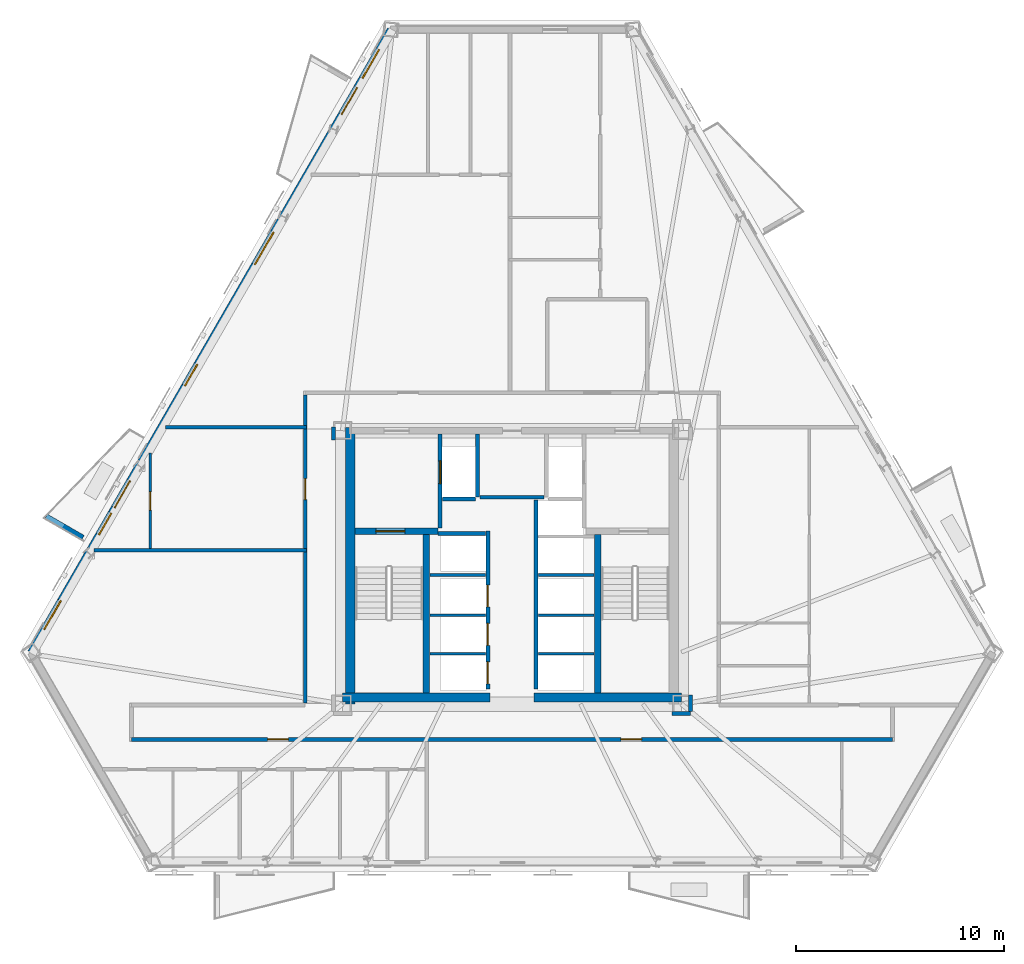
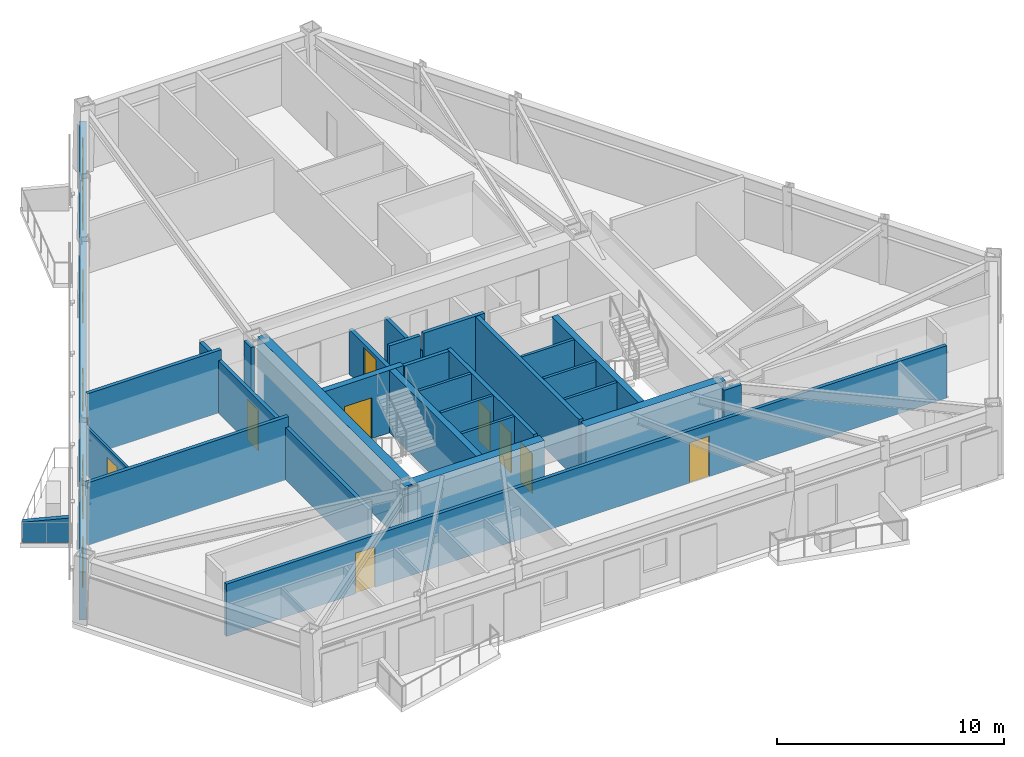
# One storey, part 3 of 9: 29 walls, 11 doors, 5 windows, 16 openings.
"""IFC4 building model written with IfcOpenShell, lengths in metres."""

from ifc_helpers import new_model, si_unit, direction, frame, frame_2d, origin, place, context, subcontext, project, spatial, polyline, rectangle, outline, extrude, material, layer, layer_set, type_object, element, fill, save


model = new_model("IFC4")

# Units and contexts
model_context = context("Model", 3, precision=1e-05, world=origin(), true_north=direction((0.0, 1.0)))
body_context = subcontext(model_context, "Body", "Model", "MODEL_VIEW")
ifc_project = project(units=[si_unit("LENGTHUNIT", "METRE"), si_unit("AREAUNIT", "SQUARE_METRE"), si_unit("VOLUMEUNIT", "CUBIC_METRE"), si_unit("PLANEANGLEUNIT", "RADIAN"), si_unit("MASSUNIT", "GRAM", prefix="KILO")], contexts=[model_context])

# Site, building, storey
site_placement = place(None, origin())
site = spatial("IfcSite", under=ifc_project, at=site_placement, CompositionType="ELEMENT")
building_placement = place(site_placement, origin())
building = spatial("IfcBuilding", under=site, at=building_placement, Name="Oramaril Tower", CompositionType="ELEMENT")
storey_placement = place(building_placement, frame((0.0, 0.0, 104.10009765625)))
storey = spatial("IfcBuildingStorey", under=building, at=storey_placement, Name="L27", CompositionType="ELEMENT", Elevation=104.10009765625)

# Wall, openings, doors, windows
ifc_material_1 = material(Name="Warm Cream Limestone", Category="masonry")
ifc_layer_1 = layer(ifc_material_1, 0.340087890625)
ifc_layer_set_1 = layer_set([ifc_layer_1], Name="WT-EXT34")
wall_type_1 = type_object("IfcWallType", Name="WT-EXT34", PredefinedType="SOLIDWALL", material=ifc_layer_set_1)
wall_1_placement = place(storey_placement, frame((31.6630859375, 43.443603515625, 0.0), z_axis=(0.0, 0.0, 1.0), x_axis=(-0.499998569178, -0.866026229868, 0.0)))
wall_1 = element("IfcWall", 1, at=wall_1_placement, inside=storey, type_object=wall_type_1, Name="L27 Tower Limestone Facade Wall 6M", PredefinedType="SOLIDWALL", context=body_context, shape_type="SweptSolid", body=[
    extrude(rectangle(XDim=34.59521484375, YDim=0.340087890625, at=frame_2d((17.297607421875, 0.0))), origin(), (0.0, 0.0, 1.0), 2.577880859375),
])
opening_1_placement = place(wall_1_placement, frame((3.219482421875, 0.0, 0.0)))
opening_1 = element("IfcOpeningElement", 2, at=opening_1_placement, cuts=wall_1, Name="Opening D-L27-BAL-NW1", PredefinedType="OPENING", context=body_context, shape_type="SweptSolid", body=[
    extrude(rectangle(XDim=1.5, YDim=2.199951171875, at=frame_2d((0.75, 1.10009765625))), frame((0.0, 0.169921875, 0.0), z_axis=(0.0, -1.0, 0.0), x_axis=(1.0, 0.0, 0.0)), (0.0, 0.0, 1.0), 0.340087890625),
])
opening_2_placement = place(wall_1_placement, frame((25.06103515625, 0.0, 0.0)))
opening_2 = element("IfcOpeningElement", 3, at=opening_2_placement, cuts=wall_1, Name="Opening D-L27-BAL-NW2", PredefinedType="OPENING", context=body_context, shape_type="SweptSolid", body=[
    extrude(rectangle(XDim=1.5, YDim=2.199951171875, at=frame_2d((0.75, 1.10009765625))), frame((0.0, 0.169921875, 0.0), z_axis=(0.0, -1.0, 0.0), x_axis=(1.0, 0.0, 0.0)), (0.0, 0.0, 1.0), 0.340087890625),
])
opening_3_placement = place(wall_1_placement, frame((31.727783203125, 0.0, 0.85009765625)))
opening_3 = element("IfcOpeningElement", 4, at=opening_3_placement, cuts=wall_1, Name="Opening WN-07", PredefinedType="OPENING", context=body_context, shape_type="SweptSolid", body=[
    extrude(rectangle(XDim=1.60009765625, YDim=1.617919921875, at=frame_2d((0.800048828125, 0.80908203125))), frame((0.0, 0.169921875, 0.0), z_axis=(0.0, -1.0, 0.0), x_axis=(1.0, 0.0, 0.0)), (0.0, 0.0, 1.0), 0.340087890625),
])
opening_4_placement = place(wall_1_placement, frame((26.8603515625, 0.0, 0.85009765625)))
opening_4 = element("IfcOpeningElement", 5, at=opening_4_placement, cuts=wall_1, Name="Opening WN-09", PredefinedType="OPENING", context=body_context, shape_type="SweptSolid", body=[
    extrude(rectangle(XDim=1.199951171875, YDim=1.47998046875, at=frame_2d((0.60009765625, 0.739990234375))), frame((0.0, 0.169921875, 0.0), z_axis=(0.0, -1.0, 0.0), x_axis=(1.0, 0.0, 0.0)), (0.0, 0.0, 1.0), 0.340087890625),
])
opening_5_placement = place(wall_1_placement, frame((11.255615234375, 0.0, 0.85009765625)))
opening_5 = element("IfcOpeningElement", 6, at=opening_5_placement, cuts=wall_1, Name="Opening WN-06", PredefinedType="OPENING", context=body_context, shape_type="SweptSolid", body=[
    extrude(rectangle(XDim=1.800048828125, YDim=1.617919921875, at=frame_2d((0.89990234375, 0.80908203125))), frame((0.0, 0.169921875, 0.0), z_axis=(0.0, -1.0, 0.0), x_axis=(1.0, 0.0, 0.0)), (0.0, 0.0, 1.0), 0.340087890625),
])
opening_6_placement = place(wall_1_placement, frame((18.59326171875, 0.0, 0.85009765625)))
opening_6 = element("IfcOpeningElement", 7, at=opening_6_placement, cuts=wall_1, Name="Opening WN-09", PredefinedType="OPENING", context=body_context, shape_type="SweptSolid", body=[
    extrude(rectangle(XDim=1.199951171875, YDim=1.47998046875, at=frame_2d((0.60009765625, 0.739990234375))), frame((0.0, 0.169921875, 0.0), z_axis=(0.0, -1.0, 0.0), x_axis=(1.0, 0.0, 0.0)), (0.0, 0.0, 1.0), 0.340087890625),
])
opening_7_placement = place(wall_1_placement, frame((1.105712890625, 0.0, 0.85009765625)))
opening_7 = element("IfcOpeningElement", 8, at=opening_7_placement, cuts=wall_1, Name="Opening WN-07", PredefinedType="OPENING", context=body_context, shape_type="SweptSolid", body=[
    extrude(rectangle(XDim=1.60009765625, YDim=1.617919921875, at=frame_2d((0.800048828125, 0.80908203125))), frame((0.0, 0.169921875, 0.0), z_axis=(0.0, -1.0, 0.0), x_axis=(1.0, 0.0, 0.0)), (0.0, 0.0, 1.0), 0.340087890625),
])
ifc_material_2 = material(Name="Anodised Aluminium 6063-T6", Category="aluminium")
door_type_1 = type_object("IfcDoorType", Name="DT-BAL", OperationType="NOTDEFINED", PredefinedType="DOOR", material=ifc_material_2)
door_1_placement = place(opening_1_placement, origin())
door_1 = element("IfcDoor", 9, at=door_1_placement, inside=storey, type_object=door_type_1, Name="L27 Balcony Glazed Door L27-BAL-NW1", OperationType="SINGLE_SWING_RIGHT", OverallHeight=2.199951171875, OverallWidth=1.5, PredefinedType="DOOR", context=body_context, shape_type="SweptSolid", body=[
    extrude(rectangle(XDim=1.5, YDim=2.199951171875, at=frame_2d((0.75, 1.10009765625))), frame((0.0, 0.02490234375, 0.0), z_axis=(0.0, -1.0, 0.0), x_axis=(1.0, 0.0, 0.0)), (0.0, 0.0, 1.0), 0.050048828125),
])
fill(opening_1, door_1)
door_2_placement = place(opening_2_placement, origin())
door_2 = element("IfcDoor", 10, at=door_2_placement, inside=storey, type_object=door_type_1, Name="L27 Balcony Glazed Door L27-BAL-NW2", OperationType="SINGLE_SWING_LEFT", OverallHeight=2.199951171875, OverallWidth=1.5, PredefinedType="DOOR", context=body_context, shape_type="SweptSolid", body=[
    extrude(rectangle(XDim=1.5, YDim=2.199951171875, at=frame_2d((0.75, 1.10009765625))), frame((0.0, 0.02490234375, 0.0), z_axis=(0.0, -1.0, 0.0), x_axis=(1.0, 0.0, 0.0)), (0.0, 0.0, 1.0), 0.050048828125),
])
fill(opening_2, door_2)
ifc_material_3 = material(Name="Coastal Low-E Insulated Glass", Category="glass")
window_type_1 = type_object("IfcWindowType", Name="WNT-06", PartitioningType="SINGLE_PANEL", PredefinedType="WINDOW", material=ifc_material_3)
window_1_placement = place(opening_5_placement, origin())
window_1 = element("IfcWindow", 11, at=window_1_placement, inside=storey, type_object=window_type_1, Name="L27 Chicago Bay Window WN-06", OverallHeight=1.617919921875, OverallWidth=1.800048828125, PartitioningType="SINGLE_PANEL", PredefinedType="WINDOW", context=body_context, shape_type="SweptSolid", body=[
    extrude(rectangle(XDim=1.800048828125, YDim=1.617919921875, at=frame_2d((0.89990234375, 0.80908203125))), frame((0.0, 0.030029296875, 0.0), z_axis=(0.0, -1.0, 0.0), x_axis=(1.0, 0.0, 0.0)), (0.0, 0.0, 1.0), 0.06005859375),
])
fill(opening_5, window_1)
ifc_material_4 = material(Name="Coastal Low-E Insulated Glass", Category="glass")
window_type_2 = type_object("IfcWindowType", Name="WNT-07", PartitioningType="SINGLE_PANEL", PredefinedType="WINDOW", material=ifc_material_4)
window_2_placement = place(opening_3_placement, origin())
window_2 = element("IfcWindow", 12, at=window_2_placement, inside=storey, type_object=window_type_2, Name="L27 Chicago Bay Window WN-07", OverallHeight=1.617919921875, OverallWidth=1.60009765625, PartitioningType="SINGLE_PANEL", PredefinedType="WINDOW", context=body_context, shape_type="SweptSolid", body=[
    extrude(rectangle(XDim=1.60009765625, YDim=1.617919921875, at=frame_2d((0.800048828125, 0.80908203125))), frame((0.0, 0.030029296875, 0.0), z_axis=(0.0, -1.0, 0.0), x_axis=(1.0, 0.0, 0.0)), (0.0, 0.0, 1.0), 0.06005859375),
])
fill(opening_3, window_2)
window_3_placement = place(opening_7_placement, origin())
window_3 = element("IfcWindow", 13, at=window_3_placement, inside=storey, type_object=window_type_2, Name="L27 Chicago Bay Window WN-07", OverallHeight=1.617919921875, OverallWidth=1.60009765625, PartitioningType="SINGLE_PANEL", PredefinedType="WINDOW", context=body_context, shape_type="SweptSolid", body=[
    extrude(rectangle(XDim=1.60009765625, YDim=1.617919921875, at=frame_2d((0.800048828125, 0.80908203125))), frame((0.0, 0.030029296875, 0.0), z_axis=(0.0, -1.0, 0.0), x_axis=(1.0, 0.0, 0.0)), (0.0, 0.0, 1.0), 0.06005859375),
])
fill(opening_7, window_3)
ifc_material_5 = material(Name="Coastal Low-E Insulated Glass", Category="glass")
window_type_3 = type_object("IfcWindowType", Name="WNT-09", PartitioningType="SINGLE_PANEL", PredefinedType="WINDOW", material=ifc_material_5)
window_4_placement = place(opening_4_placement, origin())
window_4 = element("IfcWindow", 14, at=window_4_placement, inside=storey, type_object=window_type_3, Name="L27 Chicago Bay Window WN-09", OverallHeight=1.47998046875, OverallWidth=1.199951171875, PartitioningType="SINGLE_PANEL", PredefinedType="WINDOW", context=body_context, shape_type="SweptSolid", body=[
    extrude(rectangle(XDim=1.199951171875, YDim=1.47998046875, at=frame_2d((0.60009765625, 0.739990234375))), frame((0.0, 0.030029296875, 0.0), z_axis=(0.0, -1.0, 0.0), x_axis=(1.0, 0.0, 0.0)), (0.0, 0.0, 1.0), 0.06005859375),
])
fill(opening_4, window_4)
window_5_placement = place(opening_6_placement, origin())
window_5 = element("IfcWindow", 15, at=window_5_placement, inside=storey, type_object=window_type_3, Name="L27 Chicago Bay Window WN-09", OverallHeight=1.47998046875, OverallWidth=1.199951171875, PartitioningType="SINGLE_PANEL", PredefinedType="WINDOW", context=body_context, shape_type="SweptSolid", body=[
    extrude(rectangle(XDim=1.199951171875, YDim=1.47998046875, at=frame_2d((0.60009765625, 0.739990234375))), frame((0.0, 0.030029296875, 0.0), z_axis=(0.0, -1.0, 0.0), x_axis=(1.0, 0.0, 0.0)), (0.0, 0.0, 1.0), 0.06005859375),
])
fill(opening_6, window_5)

# Wall
ifc_material_6 = material(Name="Concrete C40/50", Category="concrete")
ifc_layer_2 = layer(ifc_material_6, 0.22998046875)
ifc_layer_set_2 = layer_set([ifc_layer_2], Name="WT-PRP23")
wall_type_2 = type_object("IfcWallType", Name="WT-PRP23", PredefinedType="PARAPET", material=ifc_layer_set_2)
wall_2_placement = place(storey_placement, frame((16.8671875, 19.012451171875, 0.0), z_axis=(0.0, 0.0, 1.0), x_axis=(-0.866012356593, 0.500022597718, 0.0)))
element("IfcWall", 16, at=wall_2_placement, inside=storey, type_object=wall_type_2, Name="L27 Trapezoidal Balcony Frame Cheek L27-BAL-NW2-R", PredefinedType="PARAPET", context=body_context, shape_type="SweptSolid", body=[
    extrude(outline(polyline([(0.0, 0.0), (2.0419921875, 0.0), (2.0419921875, 1.099853515625), (0.0, 1.31982421875), (0.0, 0.0)])), frame((0.0, 0.114990234375, 0.0), z_axis=(0.0, -1.0, 0.0), x_axis=(1.0, 0.0, 0.0)), (0.0, 0.0, 1.0), 0.22998046875),
])

# Wall, opening, door
ifc_material_7 = material(Name="Acoustic Gypsum Board Partition")
ifc_layer_3 = layer(ifc_material_7, 0.1201171875)
ifc_layer_set_3 = layer_set([ifc_layer_3], Name="WT-PT12")
wall_type_3 = type_object("IfcWallType", Name="WT-PT12", PredefinedType="PARTITIONING", material=ifc_layer_set_3)
wall_3_placement = place(storey_placement, frame((20.110107421875, 18.493896484375, 0.0), z_axis=(0.0, 0.0, 1.0), x_axis=(0.0, 1.0, 0.0)))
wall_3 = element("IfcWall", 17, at=wall_3_placement, inside=storey, type_object=wall_type_3, Name="L27 Interior Partition PT-12", PredefinedType="PARTITIONING", context=body_context, shape_type="SweptSolid", body=[
    extrude(rectangle(XDim=4.591064453125, YDim=0.1201171875, at=frame_2d((2.29541015625, 0.0))), origin(), (0.0, 0.0, 1.0), 2.577880859375),
])
opening_8_placement = place(wall_3_placement, frame((1.83447265625, 0.0, 0.0)))
opening_8 = element("IfcOpeningElement", 18, at=opening_8_placement, cuts=wall_3, Name="Opening D-L27-16", PredefinedType="OPENING", context=body_context, shape_type="SweptSolid", body=[
    extrude(rectangle(XDim=0.8798828125, YDim=2.080078125, at=frame_2d((0.43994140625, 1.0400390625))), frame((0.0, 0.06005859375, 0.0), z_axis=(0.0, -1.0, 0.0), x_axis=(1.0, 0.0, 0.0)), (0.0, 0.0, 1.0), 0.1201171875),
])
ifc_material_8 = material(Name="FSC Brazilian Freijo Hardwood", Category="wood")
door_type_2 = type_object("IfcDoorType", Name="DT-BATH", OperationType="NOTDEFINED", PredefinedType="DOOR", material=ifc_material_8)
door_3_placement = place(opening_8_placement, origin())
door_3 = element("IfcDoor", 19, at=door_3_placement, inside=storey, type_object=door_type_2, Name="L27 Flat L27-U3 Bathroom Door D-L27-16", OperationType="SINGLE_SWING_RIGHT", OverallHeight=2.080078125, OverallWidth=0.8798828125, PredefinedType="DOOR", context=body_context, shape_type="SweptSolid", body=[
    extrude(rectangle(XDim=0.8798828125, YDim=2.080078125, at=frame_2d((0.43994140625, 1.0400390625))), frame((0.0, 0.02490234375, 0.0), z_axis=(0.0, -1.0, 0.0), x_axis=(1.0, 0.0, 0.0)), (0.0, 0.0, 1.0), 0.050048828125),
])
fill(opening_8, door_3)

# Walls
ifc_material_9 = material(Name="Acoustic Gypsum Board Partition")
ifc_layer_4 = layer(ifc_material_9, 0.139892578125)
ifc_layer_set_4 = layer_set([ifc_layer_4], Name="WT-PT14")
wall_type_4 = type_object("IfcWallType", Name="WT-PT14", PredefinedType="PARTITIONING", material=ifc_layer_set_4)
for number, where, z_axis, x_axis, name in (
    (20, (33.56005859375, 13.419921875, 0.0), (0.0, 0.0, 1.0), (1.0, 0.0, 0.0), "L27 West Lift Divider"),
    (21, (33.56005859375, 15.27001953125, 0.0), (0.0, 0.0, 1.0), (1.0, 0.0, 0.0), "L27 West Lift Divider"),
    (22, (33.56005859375, 17.199951171875, 0.0), (0.0, 0.0, 1.0), (1.0, 0.0, 0.0), "L27 West Lift Divider"),
    (23, (38.780029296875, 13.419921875, 0.0), (0.0, 0.0, 1.0), (1.0, 0.0, 0.0), "L27 East Lift Divider"),
    (24, (38.780029296875, 15.27001953125, 0.0), (0.0, 0.0, 1.0), (1.0, 0.0, 0.0), "L27 East Lift Divider"),
    (25, (38.780029296875, 17.199951171875, 0.0), (0.0, 0.0, 1.0), (1.0, 0.0, 0.0), "L27 East Lift Divider"),
):
    element("IfcWall", number, at=place(storey_placement, frame(where, z_axis=z_axis, x_axis=x_axis)), inside=storey, type_object=wall_type_4, Name=name, PredefinedType="PARTITIONING", context=body_context, shape_type="SweptSolid", body=[
        extrude(rectangle(XDim=2.659912109375, YDim=0.139892578125, at=frame_2d((1.330078125, 0.0))), origin(), (0.0, 0.0, 1.0), 3.35986328125),
    ])
ifc_material_10 = material(Name="Autoclaved Cellular Concrete Block", Category="concrete")
ifc_layer_5 = layer(ifc_material_10, 0.179931640625)
ifc_layer_set_5 = layer_set([ifc_layer_5], Name="WT-PT18")
wall_type_5 = type_object("IfcWallType", Name="WT-PT18", PredefinedType="PARTITIONING", material=ifc_layer_set_5)
wall_4_placement = place(storey_placement, frame((35.840087890625, 20.9599609375, 0.0), z_axis=(0.0, 0.0, 1.0), x_axis=(0.0, 1.0, 0.0)))
element("IfcWall", 26, at=wall_4_placement, inside=storey, type_object=wall_type_5, Name="L27 FL-1 East Shaft Wall", PredefinedType="PARTITIONING", context=body_context, shape_type="SweptSolid", body=[
    extrude(rectangle(XDim=3.02001953125, YDim=0.179931640625, at=frame_2d((1.510009765625, 0.0))), origin(), (0.0, 0.0, 1.0), 2.39990234375),
])
wall_5_placement = place(storey_placement, frame((34.159912109375, 20.860107421875, 0.0), z_axis=(0.0, 0.0, 1.0), x_axis=(1.0, 0.0, 0.0)))
element("IfcWall", 27, at=wall_5_placement, inside=storey, type_object=wall_type_5, Name="L27 FL-1 South Shaft Wall", PredefinedType="PARTITIONING", context=body_context, shape_type="SweptSolid", body=[
    extrude(rectangle(XDim=1.580078125, YDim=0.179931640625, at=frame_2d((0.7900390625, 0.0))), origin(), (0.0, 0.0, 1.0), 3.35986328125),
])
wall_6_placement = place(storey_placement, frame((33.949951171875, 19.199951171875, 0.0), z_axis=(0.0, 0.0, 1.0), x_axis=(1.0, 0.0, 0.0)))
element("IfcWall", 28, at=wall_6_placement, inside=storey, type_object=wall_type_5, Name="L27 High-Rise Lift H1 North Shaft Wall", PredefinedType="PARTITIONING", context=body_context, shape_type="SweptSolid", body=[
    extrude(rectangle(XDim=2.27001953125, YDim=0.179931640625, at=frame_2d((1.135009765625, 0.0))), origin(), (0.0, 0.0, 1.0), 3.35986328125),
])
wall_7_placement = place(storey_placement, frame((35.949951171875, 20.949951171875, 0.0), z_axis=(0.0, 0.0, 1.0), x_axis=(1.0, 0.0, 0.0)))
element("IfcWall", 29, at=wall_7_placement, inside=storey, type_object=wall_type_5, Name="L27 Lift Lobby North Partition", PredefinedType="PARTITIONING", context=body_context, shape_type="SweptSolid", body=[
    extrude(rectangle(XDim=3.10009765625, YDim=0.179931640625, at=frame_2d((1.550048828125, 0.0))), origin(), (0.0, 0.0, 1.0), 3.35986328125),
])

# Wall, openings, doors
wall_8_placement = place(storey_placement, frame((19.199951171875, 9.300048828125, 0.0), z_axis=(0.0, 0.0, 1.0), x_axis=(1.0, 0.0, 0.0)))
wall_8 = element("IfcWall", 30, at=wall_8_placement, inside=storey, type_object=wall_type_5, Name="L27 Interior Partition PT-18", PredefinedType="PARTITIONING", context=body_context, shape_type="SweptSolid", body=[
    extrude(rectangle(XDim=36.60009765625, YDim=0.179931640625, at=frame_2d((18.300048828125, 0.0))), origin(), (0.0, 0.0, 1.0), 2.81396484375),
])
opening_9_placement = place(wall_8_placement, frame((6.54638671875, 0.0, 0.0)))
opening_9 = element("IfcOpeningElement", 31, at=opening_9_placement, cuts=wall_8, Name="Opening D-L27-07", PredefinedType="OPENING", context=body_context, shape_type="SweptSolid", body=[
    extrude(rectangle(XDim=1.0, YDim=2.179931640625, at=frame_2d((0.5, 1.08984375))), frame((0.0, 0.08984375, 0.0), z_axis=(0.0, -1.0, 0.0), x_axis=(1.0, 0.0, 0.0)), (0.0, 0.0, 1.0), 0.179931640625),
])
opening_10_placement = place(wall_8_placement, frame((23.53466796875, 0.0, 0.0)))
opening_10 = element("IfcOpeningElement", 32, at=opening_10_placement, cuts=wall_8, Name="Opening D-L27-08", PredefinedType="OPENING", context=body_context, shape_type="SweptSolid", body=[
    extrude(rectangle(XDim=1.0, YDim=2.179931640625, at=frame_2d((0.5, 1.08984375))), frame((0.0, 0.08984375, 0.0), z_axis=(0.0, -1.0, 0.0), x_axis=(1.0, 0.0, 0.0)), (0.0, 0.0, 1.0), 0.179931640625),
])
ifc_material_11 = material(Name="FSC Brazilian Freijo Hardwood", Category="wood")
door_type_3 = type_object("IfcDoorType", Name="DT-APT", OperationType="NOTDEFINED", PredefinedType="DOOR", material=ifc_material_11)
door_4_placement = place(opening_9_placement, origin())
door_4 = element("IfcDoor", 33, at=door_4_placement, inside=storey, type_object=door_type_3, Name="L27 Flat L27-U2 Penthouse 2-Bedroom Living and Dining Room Door D-L27-07", OperationType="SINGLE_SWING_LEFT", OverallHeight=2.179931640625, OverallWidth=1.0, PredefinedType="DOOR", context=body_context, shape_type="SweptSolid", body=[
    extrude(rectangle(XDim=1.0, YDim=2.179931640625, at=frame_2d((0.5, 1.08984375))), frame((0.0, 0.02490234375, 0.0), z_axis=(0.0, -1.0, 0.0), x_axis=(1.0, 0.0, 0.0)), (0.0, 0.0, 1.0), 0.050048828125),
])
fill(opening_9, door_4)
door_5_placement = place(opening_10_placement, origin())
door_5 = element("IfcDoor", 34, at=door_5_placement, inside=storey, type_object=door_type_3, Name="L27 Flat L27-U1 Kitchen and Studio Apartment Door D-L27-08", OperationType="SINGLE_SWING_RIGHT", OverallHeight=2.179931640625, OverallWidth=1.0, PredefinedType="DOOR", context=body_context, shape_type="SweptSolid", body=[
    extrude(rectangle(XDim=1.0, YDim=2.179931640625, at=frame_2d((0.5, 1.08984375))), frame((0.0, 0.02490234375, 0.0), z_axis=(0.0, -1.0, 0.0), x_axis=(1.0, 0.0, 0.0)), (0.0, 0.0, 1.0), 0.050048828125),
])
fill(opening_10, door_5)

# Walls
wall_9_placement = place(storey_placement, frame((45.205078125, 10.550048828125, 0.0), z_axis=(0.0, 0.0, 1.0), x_axis=(1.0, 0.0, 0.0)))
element("IfcWall", 35, at=wall_9_placement, inside=storey, type_object=wall_type_5, Name="L27 Interior Partition PT-18", PredefinedType="PARTITIONING", context=body_context, shape_type="SweptSolid", body=[
    extrude(rectangle(XDim=0.889892578125, YDim=0.179931640625, at=frame_2d((0.44482421875, 0.0))), origin(), (0.0, 0.0, 1.0), 3.35986328125),
])
wall_10_placement = place(storey_placement, frame((17.405029296875, 18.39990234375, 0.0), z_axis=(0.0, 0.0, 1.0), x_axis=(1.0, 0.0, 0.0)))
element("IfcWall", 36, at=wall_10_placement, inside=storey, type_object=wall_type_5, Name="L27 Interior Partition PT-18", PredefinedType="PARTITIONING", context=body_context, shape_type="SweptSolid", body=[
    extrude(rectangle(XDim=10.205078125, YDim=0.179931640625, at=frame_2d((5.1025390625, 0.0))), origin(), (0.0, 0.0, 1.0), 3.35986328125),
])
wall_11_placement = place(storey_placement, frame((20.822998046875, 24.320068359375, 0.0), z_axis=(0.0, 0.0, 1.0), x_axis=(1.0, 0.0, 0.0)))
element("IfcWall", 37, at=wall_11_placement, inside=storey, type_object=wall_type_5, Name="L27 Interior Partition PT-18", PredefinedType="PARTITIONING", context=body_context, shape_type="SweptSolid", body=[
    extrude(rectangle(XDim=6.787109375, YDim=0.179931640625, at=frame_2d((3.3935546875, 0.0))), origin(), (0.0, 0.0, 1.0), 3.35986328125),
])

# Wall, opening, door
wall_12_placement = place(storey_placement, frame((27.550048828125, 11.0439453125, 0.0), z_axis=(0.0, 0.0, 1.0), x_axis=(0.0, 1.0, 0.0)))
wall_12 = element("IfcWall", 38, at=wall_12_placement, inside=storey, type_object=wall_type_5, Name="L27 Interior Partition PT-18", PredefinedType="PARTITIONING", context=body_context, shape_type="SweptSolid", body=[
    extrude(rectangle(XDim=14.83203125, YDim=0.179931640625, at=frame_2d((7.416015625, 0.0))), origin(), (0.0, 0.0, 1.0), 2.81396484375),
])
opening_11_placement = place(wall_12_placement, frame((9.794921875, 0.0, 0.0)))
opening_11 = element("IfcOpeningElement", 39, at=opening_11_placement, cuts=wall_12, Name="Opening D-L27-17", PredefinedType="OPENING", context=body_context, shape_type="SweptSolid", body=[
    extrude(rectangle(XDim=1.0, YDim=2.179931640625, at=frame_2d((0.5, 1.08984375))), frame((0.0, 0.08984375, 0.0), z_axis=(0.0, -1.0, 0.0), x_axis=(1.0, 0.0, 0.0)), (0.0, 0.0, 1.0), 0.179931640625),
])
door_6_placement = place(opening_11_placement, origin())
door_6 = element("IfcDoor", 40, at=door_6_placement, inside=storey, type_object=door_type_3, Name="L27 Flat L27-U3 Kitchen and Studio Apartment Door D-L27-17", OperationType="SINGLE_SWING_LEFT", OverallHeight=2.179931640625, OverallWidth=1.0, PredefinedType="DOOR", context=body_context, shape_type="SweptSolid", body=[
    extrude(rectangle(XDim=1.0, YDim=2.179931640625, at=frame_2d((0.5, 1.08984375))), frame((0.0, 0.02490234375, 0.0), z_axis=(0.0, -1.0, 0.0), x_axis=(1.0, 0.0, 0.0)), (0.0, 0.0, 1.0), 0.050048828125),
])
fill(opening_11, door_6)

# Walls
wall_13_placement = place(storey_placement, frame((28.909912109375, 23.7099609375, 0.0), z_axis=(0.0, 0.0, 1.0), x_axis=(0.0, 1.0, 0.0)))
element("IfcWall", 41, at=wall_13_placement, inside=storey, type_object=wall_type_5, Name="L27 Interior Partition PT-18", PredefinedType="PARTITIONING", context=body_context, shape_type="SweptSolid", body=[
    extrude(rectangle(XDim=0.610107421875, YDim=0.179931640625, at=frame_2d((0.30517578125, 0.0))), origin(), (0.0, 0.0, 1.0), 3.35986328125),
])
wall_14_placement = place(storey_placement, frame((46.090087890625, 10.64404296875, 0.0), z_axis=(0.0, 0.0, 1.0), x_axis=(0.0, 1.0, 0.0)))
element("IfcWall", 42, at=wall_14_placement, inside=storey, type_object=wall_type_5, Name="L27 Interior Partition PT-18", PredefinedType="PARTITIONING", context=body_context, shape_type="SweptSolid", body=[
    extrude(rectangle(XDim=0.801025390625, YDim=0.179931640625, at=frame_2d((0.400390625, 0.0))), origin(), (0.0, 0.0, 1.0), 2.81396484375),
])

# Wall, opening, door
ifc_material_12 = material(Name="Concrete C50/60", Category="concrete")
ifc_layer_6 = layer(ifc_material_12, 0.300048828125)
ifc_layer_set_6 = layer_set([ifc_layer_6], Name="WT-SH30")
wall_type_6 = type_object("IfcWallType", Name="WT-SH30", PredefinedType="SHEAR", material=ifc_layer_set_6)
wall_15_placement = place(storey_placement, frame((29.93994140625, 19.31005859375, 0.0), z_axis=(0.0, 0.0, 1.0), x_axis=(1.0, 0.0, 0.0)))
wall_15 = element("IfcWall", 43, at=wall_15_placement, inside=storey, type_object=wall_type_6, Name="L27 Core Shear Wall CW-ST1N", PredefinedType="SHEAR", context=body_context, shape_type="SweptSolid", body=[
    extrude(rectangle(XDim=4.010009765625, YDim=0.300048828125, at=frame_2d((2.0048828125, 0.0))), origin(), (0.0, 0.0, 1.0), 3.35986328125),
])
opening_12_placement = place(wall_15_placement, frame((1.010009765625, 0.0, 0.0)))
opening_12 = element("IfcOpeningElement", 44, at=opening_12_placement, cuts=wall_15, Name="Opening D-L27-ST1", PredefinedType="OPENING", context=body_context, shape_type="SweptSolid", body=[
    extrude(rectangle(XDim=1.39990234375, YDim=2.199951171875, at=frame_2d((0.699951171875, 1.10009765625))), frame((0.0, 0.14990234375, 0.0), z_axis=(0.0, -1.0, 0.0), x_axis=(1.0, 0.0, 0.0)), (0.0, 0.0, 1.0), 0.300048828125),
])
ifc_material_13 = material(Name="Painted Galvanised Steel", Category="steel")
door_type_4 = type_object("IfcDoorType", Name="DT-ST", OperationType="NOTDEFINED", PredefinedType="DOOR", material=ifc_material_13)
door_7_placement = place(opening_12_placement, origin())
door_7 = element("IfcDoor", 45, at=door_7_placement, inside=storey, type_object=door_type_4, Name="L27 Protected Stair ST-1 Fire Door", OperationType="SINGLE_SWING_LEFT", OverallHeight=2.199951171875, OverallWidth=1.39990234375, PredefinedType="DOOR", context=body_context, shape_type="SweptSolid", body=[
    extrude(rectangle(XDim=1.39990234375, YDim=2.199951171875, at=frame_2d((0.699951171875, 1.10009765625))), frame((0.0, 0.02490234375, 0.0), z_axis=(0.0, -1.0, 0.0), x_axis=(1.0, 0.0, 0.0)), (0.0, 0.0, 1.0), 0.050048828125),
])
fill(opening_12, door_7)

# Walls
for number, where, z_axis, x_axis, name in (
    (46, (33.3798828125, 11.5400390625, 0.0), (0.0, 0.0, 1.0), (0.0, 1.0, 0.0), "L27 Core Shear Wall CW-ST1E"),
    (47, (41.6201171875, 11.5400390625, 0.0), (0.0, 0.0, 1.0), (0.0, 1.0, 0.0), "L27 Core Shear Wall CW-ST2W"),
):
    element("IfcWall", number, at=place(storey_placement, frame(where, z_axis=z_axis, x_axis=x_axis)), inside=storey, type_object=wall_type_6, Name=name, PredefinedType="SHEAR", context=body_context, shape_type="SweptSolid", body=[
        extrude(rectangle(XDim=7.619873046875, YDim=0.300048828125, at=frame_2d((3.81005859375, 0.0))), origin(), (0.0, 0.0, 1.0), 3.35986328125),
    ])
ifc_material_14 = material(Name="Concrete C50/60", Category="concrete")
ifc_layer_7 = layer(ifc_material_14, 0.449951171875)
ifc_layer_set_7 = layer_set([ifc_layer_7], Name="WT-SH45")
wall_type_7 = type_object("IfcWallType", Name="WT-SH45", PredefinedType="SHEAR", material=ifc_layer_set_7)
wall_16_placement = place(storey_placement, frame((29.715087890625, 11.0, 0.0), z_axis=(0.0, 0.0, 1.0), x_axis=(0.0, 1.0, 0.0)))
element("IfcWall", 48, at=wall_16_placement, inside=storey, type_object=wall_type_7, Name="L27 Core Shear Wall CW-W", PredefinedType="SHEAR", context=body_context, shape_type="SweptSolid", body=[
    extrude(rectangle(XDim=13.300048828125, YDim=0.449951171875, at=frame_2d((6.64990234375, 0.0))), origin(), (0.0, 0.0, 1.0), 3.35986328125),
])
for number, where, z_axis, x_axis, name in (
    (49, (29.35009765625, 11.31494140625, 0.0), (0.0, 0.0, 1.0), (1.0, 0.0, 0.0), "L27 Core Shear Wall CW-SW"),
    (50, (38.550048828125, 11.31494140625, 0.0), (0.0, 0.0, 1.0), (1.0, 0.0, 0.0), "L27 Core Shear Wall CW-SE"),
):
    element("IfcWall", number, at=place(storey_placement, frame(where, z_axis=z_axis, x_axis=x_axis)), inside=storey, type_object=wall_type_7, Name=name, PredefinedType="SHEAR", context=body_context, shape_type="SweptSolid", body=[
        extrude(rectangle(XDim=7.099853515625, YDim=0.449951171875, at=frame_2d((3.5498046875, 0.0))), origin(), (0.0, 0.0, 1.0), 3.35986328125),
    ])

# Wall, opening, door
ifc_material_15 = material(Name="Autoclaved Cellular Concrete Block", Category="concrete")
ifc_layer_8 = layer(ifc_material_15, 0.199951171875)
ifc_layer_set_8 = layer_set([ifc_layer_8], Name="WT-SHF20")
wall_type_8 = type_object("IfcWallType", Name="WT-SHF20", PredefinedType="PARTITIONING", material=ifc_layer_set_8)
wall_17_placement = place(storey_placement, frame((34.0400390625, 19.47998046875, 0.0), z_axis=(0.0, 0.0, 1.0), x_axis=(0.0, 1.0, 0.0)))
wall_17 = element("IfcWall", 51, at=wall_17_placement, inside=storey, type_object=wall_type_8, Name="L27 FL-1 Lobby Shaft Wall", PredefinedType="PARTITIONING", context=body_context, shape_type="SweptSolid", body=[
    extrude(rectangle(XDim=4.5, YDim=0.199951171875, at=frame_2d((2.25, 0.0))), origin(), (0.0, 0.0, 1.0), 2.39990234375),
])
opening_13_placement = place(wall_17_placement, frame((2.1201171875, 0.0, 0.0)))
opening_13 = element("IfcOpeningElement", 52, at=opening_13_placement, cuts=wall_17, Name="Opening LD-L27-FL-1", PredefinedType="OPENING", context=body_context, shape_type="SweptSolid", body=[
    extrude(rectangle(XDim=1.10009765625, YDim=2.199951171875, at=frame_2d((0.550048828125, 1.10009765625))), frame((0.0, 0.10009765625, 0.0), z_axis=(0.0, -1.0, 0.0), x_axis=(1.0, 0.0, 0.0)), (0.0, 0.0, 1.0), 0.199951171875),
])
ifc_material_16 = material(Name="Stainless Steel 316L", Category="steel")
door_type_5 = type_object("IfcDoorType", Name="DT-LD1", OperationType="NOTDEFINED", PredefinedType="DOOR", material=ifc_material_16)
door_8_placement = place(opening_13_placement, origin())
door_8 = element("IfcDoor", 53, at=door_8_placement, inside=storey, type_object=door_type_5, Name="L27 Lift FL-1 Sliding Landing Door", OperationType="SLIDING_TO_LEFT", OverallHeight=2.199951171875, OverallWidth=1.10009765625, PredefinedType="DOOR", context=body_context, shape_type="SweptSolid", body=[
    extrude(rectangle(XDim=1.10009765625, YDim=2.199951171875, at=frame_2d((0.550048828125, 1.10009765625))), frame((0.0, 0.02490234375, 0.0), z_axis=(0.0, -1.0, 0.0), x_axis=(1.0, 0.0, 0.0)), (0.0, 0.0, 1.0), 0.050048828125),
])
fill(opening_13, door_8)

# Wall, openings, doors
wall_18_placement = place(storey_placement, frame((36.340087890625, 11.719970703125, 0.0), z_axis=(0.0, 0.0, 1.0), x_axis=(0.0, 1.0, 0.0)))
wall_18 = element("IfcWall", 54, at=wall_18_placement, inside=storey, type_object=wall_type_8, Name="L27 West Lift Bank Front Wall", PredefinedType="PARTITIONING", context=body_context, shape_type="SweptSolid", body=[
    extrude(rectangle(XDim=7.60009765625, YDim=0.199951171875, at=frame_2d((3.800048828125, 0.0))), origin(), (0.0, 0.0, 1.0), 3.35986328125),
])
opening_14_placement = place(wall_18_placement, frame((0.2548828125, 0.0, 0.0)))
opening_14 = element("IfcOpeningElement", 55, at=opening_14_placement, cuts=wall_18, Name="Opening LD-L27-LP-L1", PredefinedType="OPENING", context=body_context, shape_type="SweptSolid", body=[
    extrude(rectangle(XDim=1.050048828125, YDim=2.14990234375, at=frame_2d((0.52490234375, 1.074951171875))), frame((0.0, 0.10009765625, 0.0), z_axis=(0.0, -1.0, 0.0), x_axis=(1.0, 0.0, 0.0)), (0.0, 0.0, 1.0), 0.199951171875),
])
opening_15_placement = place(wall_18_placement, frame((2.10498046875, 0.0, 0.0)))
opening_15 = element("IfcOpeningElement", 56, at=opening_15_placement, cuts=wall_18, Name="Opening LD-L27-LP-L2", PredefinedType="OPENING", context=body_context, shape_type="SweptSolid", body=[
    extrude(rectangle(XDim=1.050048828125, YDim=2.14990234375, at=frame_2d((0.52490234375, 1.074951171875))), frame((0.0, 0.10009765625, 0.0), z_axis=(0.0, -1.0, 0.0), x_axis=(1.0, 0.0, 0.0)), (0.0, 0.0, 1.0), 0.199951171875),
])
opening_16_placement = place(wall_18_placement, frame((3.955078125, 0.0, 0.0)))
opening_16 = element("IfcOpeningElement", 57, at=opening_16_placement, cuts=wall_18, Name="Opening LD-L27-LP-L3", PredefinedType="OPENING", context=body_context, shape_type="SweptSolid", body=[
    extrude(rectangle(XDim=1.050048828125, YDim=2.14990234375, at=frame_2d((0.52490234375, 1.074951171875))), frame((0.0, 0.10009765625, 0.0), z_axis=(0.0, -1.0, 0.0), x_axis=(1.0, 0.0, 0.0)), (0.0, 0.0, 1.0), 0.199951171875),
])
ifc_material_17 = material(Name="Stainless Steel 316L", Category="steel")
door_type_6 = type_object("IfcDoorType", Name="DT-LD2", OperationType="NOTDEFINED", PredefinedType="DOOR", material=ifc_material_17)
door_9_placement = place(opening_14_placement, origin())
door_9 = element("IfcDoor", 58, at=door_9_placement, inside=storey, type_object=door_type_6, Name="L27 Lift LP-L1 Sliding Landing Door", OperationType="SLIDING_TO_LEFT", OverallHeight=2.14990234375, OverallWidth=1.050048828125, PredefinedType="DOOR", context=body_context, shape_type="SweptSolid", body=[
    extrude(rectangle(XDim=1.050048828125, YDim=2.14990234375, at=frame_2d((0.52490234375, 1.074951171875))), frame((0.0, 0.02490234375, 0.0), z_axis=(0.0, -1.0, 0.0), x_axis=(1.0, 0.0, 0.0)), (0.0, 0.0, 1.0), 0.050048828125),
])
fill(opening_14, door_9)
door_10_placement = place(opening_15_placement, origin())
door_10 = element("IfcDoor", 59, at=door_10_placement, inside=storey, type_object=door_type_6, Name="L27 Lift LP-L2 Sliding Landing Door", OperationType="SLIDING_TO_RIGHT", OverallHeight=2.14990234375, OverallWidth=1.050048828125, PredefinedType="DOOR", context=body_context, shape_type="SweptSolid", body=[
    extrude(rectangle(XDim=1.050048828125, YDim=2.14990234375, at=frame_2d((0.52490234375, 1.074951171875))), frame((0.0, 0.02490234375, 0.0), z_axis=(0.0, -1.0, 0.0), x_axis=(1.0, 0.0, 0.0)), (0.0, 0.0, 1.0), 0.050048828125),
])
fill(opening_15, door_10)
door_11_placement = place(opening_16_placement, origin())
door_11 = element("IfcDoor", 60, at=door_11_placement, inside=storey, type_object=door_type_6, Name="L27 Lift LP-L3 Sliding Landing Door", OperationType="SLIDING_TO_LEFT", OverallHeight=2.14990234375, OverallWidth=1.050048828125, PredefinedType="DOOR", context=body_context, shape_type="SweptSolid", body=[
    extrude(rectangle(XDim=1.050048828125, YDim=2.14990234375, at=frame_2d((0.52490234375, 1.074951171875))), frame((0.0, 0.02490234375, 0.0), z_axis=(0.0, -1.0, 0.0), x_axis=(1.0, 0.0, 0.0)), (0.0, 0.0, 1.0), 0.050048828125),
])
fill(opening_16, door_11)

# Wall
wall_19_placement = place(storey_placement, frame((38.659912109375, 11.719970703125, 0.0), z_axis=(0.0, 0.0, 1.0), x_axis=(0.0, 1.0, 0.0)))
element("IfcWall", 61, at=wall_19_placement, inside=storey, type_object=wall_type_8, Name="L27 East Lift Bank Front Wall", PredefinedType="PARTITIONING", context=body_context, shape_type="SweptSolid", body=[
    extrude(rectangle(XDim=9.10009765625, YDim=0.199951171875, at=frame_2d((4.550048828125, 0.0))), origin(), (0.0, 0.0, 1.0), 3.35986328125),
])

save(model, "model.ifc")
